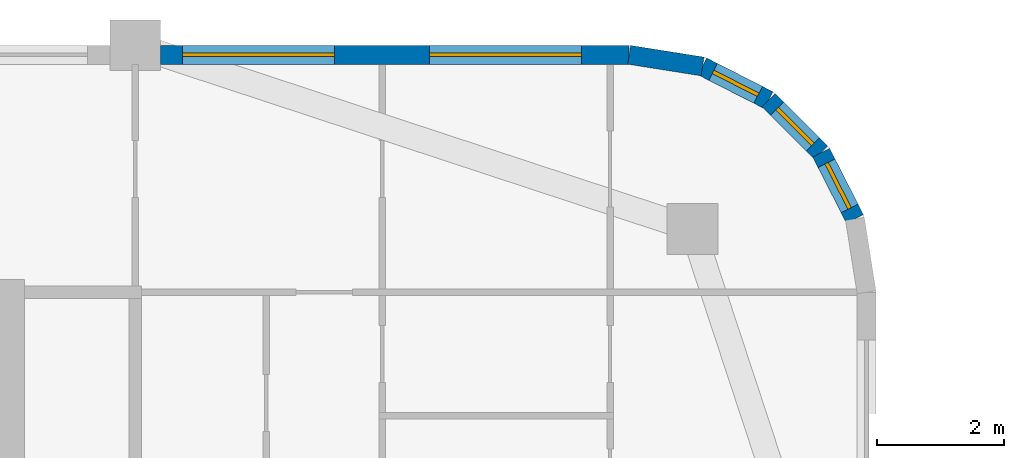
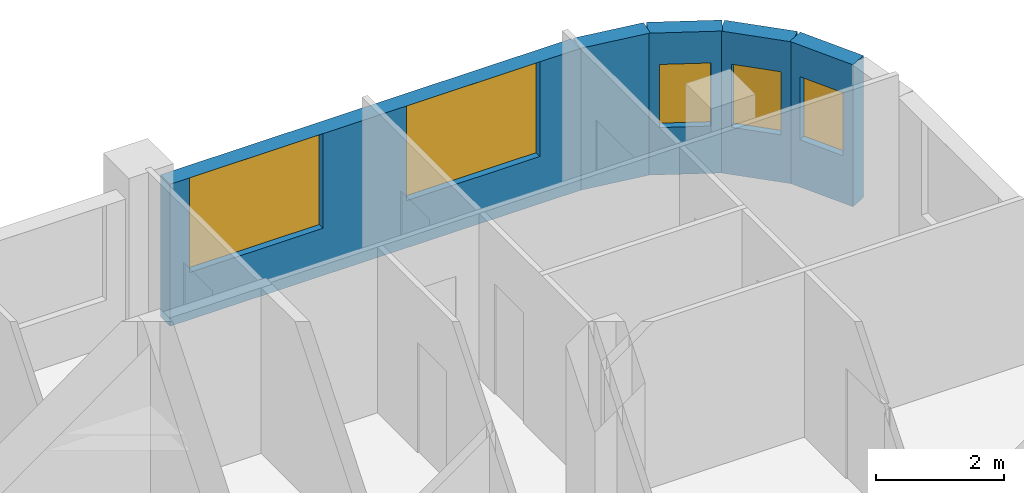
# One storey, part 12 of 17: 5 walls, 5 windows, 5 openings.
"""IFC4 building model written with IfcOpenShell, lengths in metres."""

from ifc_helpers import new_model, si_unit, direction, frame, frame_2d, origin, place, context, subcontext, project, spatial, rectangle, extrude, material, layer, layer_set, type_object, element, fill, save


model = new_model("IFC4")

# Units and contexts
model_context = context("Model", 3, precision=1e-05, world=origin(), true_north=direction((0.0, 1.0)))
body_context = subcontext(model_context, "Body", "Model", "MODEL_VIEW")
ifc_project = project(units=[si_unit("LENGTHUNIT", "METRE"), si_unit("AREAUNIT", "SQUARE_METRE"), si_unit("VOLUMEUNIT", "CUBIC_METRE"), si_unit("PLANEANGLEUNIT", "RADIAN"), si_unit("MASSUNIT", "GRAM", prefix="KILO")], contexts=[model_context])

# Site, building, storey
site_placement = place(None, origin())
site = spatial("IfcSite", under=ifc_project, at=site_placement, CompositionType="ELEMENT")
building_placement = place(site_placement, origin())
building = spatial("IfcBuilding", under=site, at=building_placement, Name="Ludao Terraces", CompositionType="ELEMENT")
storey_placement = place(building_placement, frame((0.0, 0.0, 210.89990234375)))
storey = spatial("IfcBuildingStorey", under=building, at=storey_placement, Name="L57", CompositionType="ELEMENT", Elevation=210.89990234375)

# Wall, openings, windows
ifc_material_1 = material(Name="Granite cladding", Category="masonry")
ifc_layer_1 = layer(ifc_material_1, 0.0400390625, Category="stone")
ifc_material_2 = material(Name="Mineral wool")
ifc_layer_2 = layer(ifc_material_2, 0.06005859375)
ifc_material_3 = material(Name="Concrete C40", Category="concrete")
ifc_layer_3 = layer(ifc_material_3, 0.199951171875, Category="concrete")
ifc_layer_set_1 = layer_set([ifc_layer_1, ifc_layer_2, ifc_layer_3], Name="ENV Stone-clad wall 300")
wall_type = type_object("IfcWallType", Name="ENV Stone-clad wall 300", PredefinedType="SOLIDWALL", material=ifc_layer_set_1)
wall_1_placement = place(storey_placement, frame((97.10009765625, 88.25, 0.0), z_axis=(0.0, 0.0, 1.0), x_axis=(1.0, 0.0, 0.0)))
wall_1 = element("IfcWall", 1, at=wall_1_placement, inside=storey, type_object=wall_type, Name="EW-L57-N3", PredefinedType="SOLIDWALL", context=body_context, shape_type="SweptSolid", body=[
    extrude(rectangle(XDim=7.39990234375, YDim=0.300048828125, at=frame_2d((3.699951171875, 0.0))), origin(), (0.0, 0.0, 1.0), 2.7001953125),
])
opening_1_placement = place(wall_1_placement, frame((0.35009765625, 0.0, 0.89990234375)))
opening_1 = element("IfcOpeningElement", 2, at=opening_1_placement, cuts=wall_1, Name="Opening W1", PredefinedType="OPENING", context=body_context, shape_type="SweptSolid", body=[
    extrude(rectangle(XDim=2.39990234375, YDim=1.800048828125, at=frame_2d((1.199951171875, 0.89990234375))), frame((0.0, 0.16015625, 0.0), z_axis=(0.0, -1.0, 0.0), x_axis=(1.0, 0.0, 0.0)), (0.0, 0.0, 1.0), 0.320068359375),
])
opening_2_placement = place(wall_1_placement, frame((4.25, 0.0, 0.89990234375)))
opening_2 = element("IfcOpeningElement", 3, at=opening_2_placement, cuts=wall_1, Name="Opening W1", PredefinedType="OPENING", context=body_context, shape_type="SweptSolid", body=[
    extrude(rectangle(XDim=2.39990234375, YDim=1.800048828125, at=frame_2d((1.199951171875, 0.89990234375))), frame((0.0, 0.16015625, 0.0), z_axis=(0.0, -1.0, 0.0), x_axis=(1.0, 0.0, 0.0)), (0.0, 0.0, 1.0), 0.320068359375),
])
ifc_material_4 = material(Name="Clear glass in aluminium frame", Category="aluminium")
ifc_layer_4 = layer(ifc_material_4, 0.06005859375)
ifc_layer_set_2 = layer_set([ifc_layer_4], Name="ENV Window W1 2400x1800")
window_type_1 = type_object("IfcWindowType", Name="ENV Window W1 2400x1800", PartitioningType="DOUBLE_PANEL_VERTICAL", PredefinedType="WINDOW", material=ifc_layer_set_2)
window_1_placement = place(opening_1_placement, origin())
window_1 = element("IfcWindow", 4, at=window_1_placement, inside=storey, type_object=window_type_1, Name="W-L57-N3-1", OverallHeight=1.800048828125, OverallWidth=2.39990234375, PartitioningType="DOUBLE_PANEL_VERTICAL", PredefinedType="WINDOW", context=body_context, shape_type="SweptSolid", body=[
    extrude(rectangle(XDim=2.39990234375, YDim=1.800048828125, at=frame_2d((1.199951171875, 0.89990234375))), frame((0.0, 0.030029296875, 0.0), z_axis=(0.0, -1.0, 0.0), x_axis=(1.0, 0.0, 0.0)), (0.0, 0.0, 1.0), 0.06005859375),
])
fill(opening_1, window_1)
window_2_placement = place(opening_2_placement, origin())
window_2 = element("IfcWindow", 5, at=window_2_placement, inside=storey, type_object=window_type_1, Name="W-L57-N3-2", OverallHeight=1.800048828125, OverallWidth=2.39990234375, PartitioningType="DOUBLE_PANEL_VERTICAL", PredefinedType="WINDOW", context=body_context, shape_type="SweptSolid", body=[
    extrude(rectangle(XDim=2.39990234375, YDim=1.800048828125, at=frame_2d((1.199951171875, 0.89990234375))), frame((0.0, 0.030029296875, 0.0), z_axis=(0.0, -1.0, 0.0), x_axis=(1.0, 0.0, 0.0)), (0.0, 0.0, 1.0), 0.06005859375),
])
fill(opening_2, window_2)

# Wall, opening, window
wall_2_placement = place(storey_placement, frame((108.06640625, 85.65869140625, 0.0), z_axis=(0.0, 0.0, 1.0), x_axis=(-0.454025524128, 0.890988677504, 0.0)))
wall_2 = element("IfcWall", 6, at=wall_2_placement, inside=storey, type_object=wall_type, Name="EW-L57-NE2", PredefinedType="SOLIDWALL", context=body_context, shape_type="SweptSolid", body=[
    extrude(rectangle(XDim=1.17333984375, YDim=0.300048828125, at=frame_2d((0.586669921875, 0.0))), origin(), (0.0, 0.0, 1.0), 2.7001953125),
])
opening_3_placement = place(wall_2_placement, frame((0.1865234375, 0.0, 0.89990234375)))
opening_3 = element("IfcOpeningElement", 7, at=opening_3_placement, cuts=wall_2, Name="Opening W3", PredefinedType="OPENING", context=body_context, shape_type="SweptSolid", body=[
    extrude(rectangle(XDim=0.800048828125, YDim=1.199951171875, at=frame_2d((0.39990234375, 0.60009765625))), frame((0.0, 0.16015625, 0.0), z_axis=(0.0, -1.0, 0.0), x_axis=(1.0, 0.0, 0.0)), (0.0, 0.0, 1.0), 0.320068359375),
])
ifc_layer_5 = layer(ifc_material_4, 0.06005859375)
ifc_layer_set_3 = layer_set([ifc_layer_5], Name="ENV Window W3 800x1200")
window_type_2 = type_object("IfcWindowType", Name="ENV Window W3 800x1200", PartitioningType="SINGLE_PANEL", PredefinedType="WINDOW", material=ifc_layer_set_3)
window_3_placement = place(opening_3_placement, origin())
window_3 = element("IfcWindow", 8, at=window_3_placement, inside=storey, type_object=window_type_2, Name="W-L57-NE2", OverallHeight=1.199951171875, OverallWidth=0.800048828125, PartitioningType="SINGLE_PANEL", PredefinedType="WINDOW", context=body_context, shape_type="SweptSolid", body=[
    extrude(rectangle(XDim=0.800048828125, YDim=1.199951171875, at=frame_2d((0.39990234375, 0.60009765625))), frame((0.0, 0.030029296875, 0.0), z_axis=(0.0, -1.0, 0.0), x_axis=(1.0, 0.0, 0.0)), (0.0, 0.0, 1.0), 0.06005859375),
])
fill(opening_3, window_3)

wall_3_placement = place(storey_placement, frame((107.53369140625, 86.7041015625, 0.0), z_axis=(0.0, 0.0, 1.0), x_axis=(-0.707106781187, 0.707106781187, 0.0)))
wall_3 = element("IfcWall", 9, at=wall_3_placement, inside=storey, type_object=wall_type, Name="EW-L57-NE3", PredefinedType="SOLIDWALL", context=body_context, shape_type="SweptSolid", body=[
    extrude(rectangle(XDim=1.173095703125, YDim=0.300048828125, at=frame_2d((0.58642578125, 0.0))), origin(), (0.0, 0.0, 1.0), 2.7001953125),
])
opening_4_placement = place(wall_3_placement, frame((0.1865234375, 0.0, 0.89990234375)))
opening_4 = element("IfcOpeningElement", 10, at=opening_4_placement, cuts=wall_3, Name="Opening W3", PredefinedType="OPENING", context=body_context, shape_type="SweptSolid", body=[
    extrude(rectangle(XDim=0.800048828125, YDim=1.199951171875, at=frame_2d((0.39990234375, 0.60009765625))), frame((0.0, 0.16015625, 0.0), z_axis=(0.0, -1.0, 0.0), x_axis=(1.0, 0.0, 0.0)), (0.0, 0.0, 1.0), 0.320068359375),
])
window_4_placement = place(opening_4_placement, origin())
window_4 = element("IfcWindow", 11, at=window_4_placement, inside=storey, type_object=window_type_2, Name="W-L57-NE3", OverallHeight=1.199951171875, OverallWidth=0.800048828125, PartitioningType="SINGLE_PANEL", PredefinedType="WINDOW", context=body_context, shape_type="SweptSolid", body=[
    extrude(rectangle(XDim=0.800048828125, YDim=1.199951171875, at=frame_2d((0.39990234375, 0.60009765625))), frame((0.0, 0.030029296875, 0.0), z_axis=(0.0, -1.0, 0.0), x_axis=(1.0, 0.0, 0.0)), (0.0, 0.0, 1.0), 0.06005859375),
])
fill(opening_4, window_4)

wall_4_placement = place(storey_placement, frame((106.7041015625, 87.53369140625, 0.0), z_axis=(0.0, 0.0, 1.0), x_axis=(-0.890988677504, 0.454025524128, 0.0)))
wall_4 = element("IfcWall", 12, at=wall_4_placement, inside=storey, type_object=wall_type, Name="EW-L57-NE4", PredefinedType="SOLIDWALL", context=body_context, shape_type="SweptSolid", body=[
    extrude(rectangle(XDim=1.17333984375, YDim=0.300048828125, at=frame_2d((0.586669921875, 0.0))), origin(), (0.0, 0.0, 1.0), 2.7001953125),
])
opening_5_placement = place(wall_4_placement, frame((0.1865234375, 0.0, 0.89990234375)))
opening_5 = element("IfcOpeningElement", 13, at=opening_5_placement, cuts=wall_4, Name="Opening W3", PredefinedType="OPENING", context=body_context, shape_type="SweptSolid", body=[
    extrude(rectangle(XDim=0.800048828125, YDim=1.199951171875, at=frame_2d((0.39990234375, 0.60009765625))), frame((0.0, 0.16015625, 0.0), z_axis=(0.0, -1.0, 0.0), x_axis=(1.0, 0.0, 0.0)), (0.0, 0.0, 1.0), 0.320068359375),
])
window_5_placement = place(opening_5_placement, origin())
window_5 = element("IfcWindow", 14, at=window_5_placement, inside=storey, type_object=window_type_2, Name="W-L57-NE4", OverallHeight=1.199951171875, OverallWidth=0.800048828125, PartitioningType="SINGLE_PANEL", PredefinedType="WINDOW", context=body_context, shape_type="SweptSolid", body=[
    extrude(rectangle(XDim=0.800048828125, YDim=1.199951171875, at=frame_2d((0.39990234375, 0.60009765625))), frame((0.0, 0.030029296875, 0.0), z_axis=(0.0, -1.0, 0.0), x_axis=(1.0, 0.0, 0.0)), (0.0, 0.0, 1.0), 0.06005859375),
])
fill(opening_5, window_5)

# Wall
wall_5_placement = place(storey_placement, frame((105.65869140625, 88.06640625, 0.0), z_axis=(0.0, 0.0, 1.0), x_axis=(-0.987678452879, 0.156496880861, 0.0)))
element("IfcWall", 15, at=wall_5_placement, inside=storey, type_object=wall_type, Name="EW-L57-NE5", PredefinedType="SOLIDWALL", context=body_context, shape_type="SweptSolid", body=[
    extrude(rectangle(XDim=1.173095703125, YDim=0.300048828125, at=frame_2d((0.58642578125, 0.0))), origin(), (0.0, 0.0, 1.0), 2.7001953125),
])

save(model, "model.ifc")
